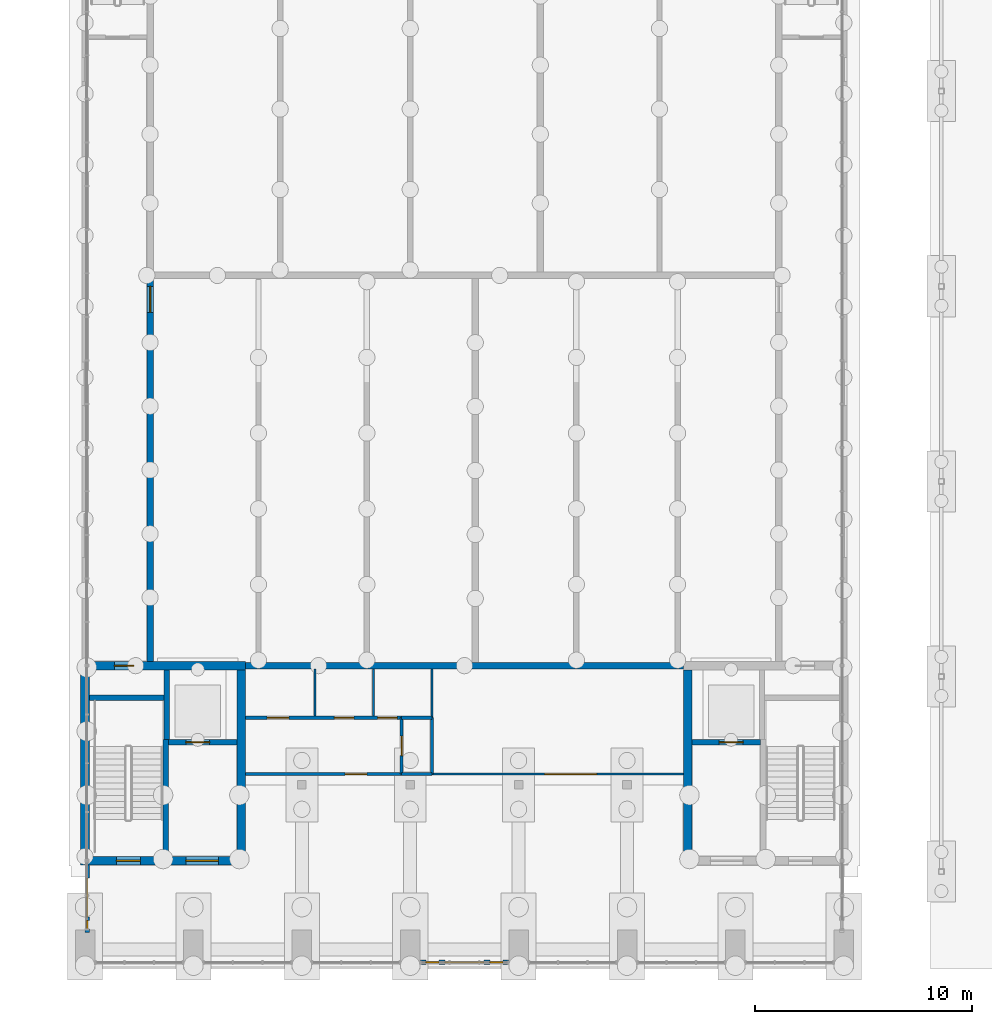
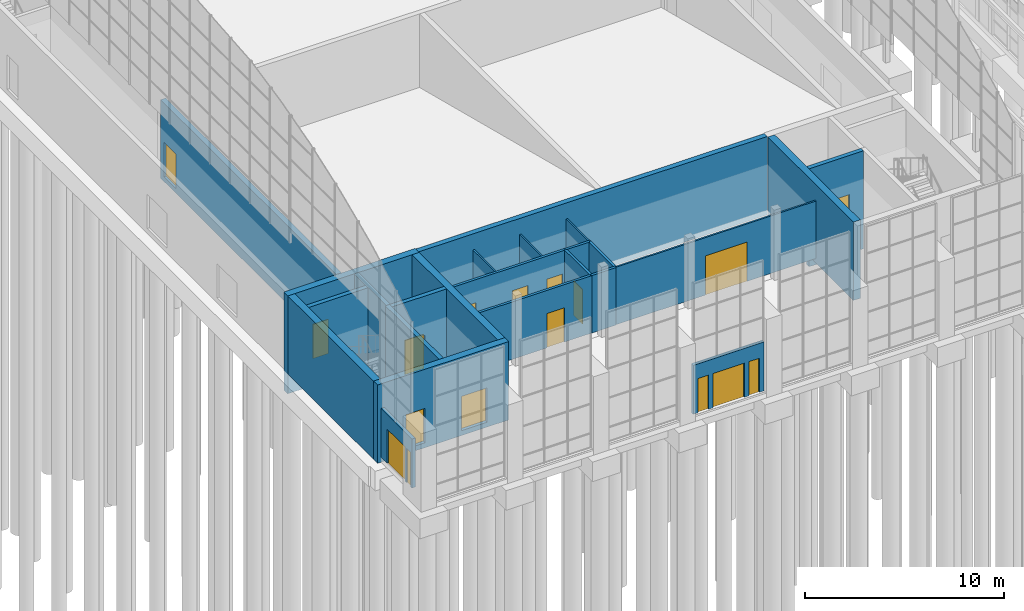
# One storey, part 65 of 106: 24 walls, 14 doors, 3 windows, 17 openings.
"""IFC4 building model written with IfcOpenShell, lengths in metres."""

from ifc_helpers import new_model, si_unit, direction, frame, frame_2d, origin, place, context, subcontext, project, spatial, rectangle, extrude, material, layer, layer_set, type_object, element, fill, save


model = new_model("IFC4")

# Units and contexts
model_context = context("Model", 3, precision=1e-05, world=origin(), true_north=direction((0.0, 1.0)))
body_context = subcontext(model_context, "Body", "Model", "MODEL_VIEW")
ifc_project = project(units=[si_unit("LENGTHUNIT", "METRE"), si_unit("AREAUNIT", "SQUARE_METRE"), si_unit("VOLUMEUNIT", "CUBIC_METRE"), si_unit("PLANEANGLEUNIT", "RADIAN"), si_unit("MASSUNIT", "GRAM", prefix="KILO")], contexts=[model_context])

# Site, building, storey
site_placement = place(None, origin())
site = spatial("IfcSite", under=ifc_project, at=site_placement, CompositionType="ELEMENT")
building_placement = place(site_placement, origin())
building = spatial("IfcBuilding", under=site, at=building_placement, Name="Merrow Basin Faculty of Sciences", CompositionType="ELEMENT")
storey_placement = place(building_placement, origin())
storey = spatial("IfcBuildingStorey", under=building, at=storey_placement, Name="L00", CompositionType="ELEMENT", Elevation=0.0)

# Wall, opening, door
ifc_material_1 = material(Name="Fire-rated gypsum board")
ifc_layer_1 = layer(ifc_material_1, 0.14990234375)
ifc_layer_set_1 = layer_set([ifc_layer_1], Name="Corridor partition 150 fire-rated board on steel studs")
wall_type_1 = type_object("IfcWallType", Name="Corridor partition 150 fire-rated board on steel studs", PredefinedType="PARTITIONING", material=ifc_layer_set_1)
wall_1_placement = place(storey_placement, frame((14.60009765625, 9.0, 0.0), z_axis=(0.0, 0.0, 1.0), x_axis=(0.0, 1.0, 0.0)))
wall_1 = element("IfcWall", 1, at=wall_1_placement, inside=storey, type_object=wall_type_1, Name="IW151 L00 003", PredefinedType="PARTITIONING", context=body_context, shape_type="SweptSolid", body=[
    extrude(rectangle(XDim=2.60009765625, YDim=0.14990234375, at=frame_2d((1.300048828125, 0.0))), origin(), (0.0, 0.0, 1.0), 3.52001953125),
])
opening_1_placement = place(wall_1_placement, frame((0.85009765625, 0.0, 0.0)))
opening_1 = element("IfcOpeningElement", 2, at=opening_1_placement, cuts=wall_1, Name="Opening D00H019", PredefinedType="OPENING", context=body_context, shape_type="SweptSolid", body=[
    extrude(rectangle(XDim=0.89990234375, YDim=2.10009765625, at=frame_2d((0.449951171875, 1.050048828125))), frame((0.0, 0.0849609375, 0.0), z_axis=(0.0, -1.0, 0.0), x_axis=(1.0, 0.0, 0.0)), (0.0, 0.0, 1.0), 0.169921875),
])
ifc_material_2 = material(Name="Fire-rated steel door", Category="steel")
door_type_1 = type_object("IfcDoorType", Name="Fire door FD60 900 x 2100", OperationType="NOTDEFINED", PredefinedType="DOOR", material=ifc_material_2)
door_1_placement = place(opening_1_placement, origin())
door_1 = element("IfcDoor", 3, at=door_1_placement, inside=storey, type_object=door_type_1, Name="Door D00H019", OperationType="SINGLE_SWING_RIGHT", OverallHeight=2.10009765625, OverallWidth=0.89990234375, PredefinedType="DOOR", context=body_context, shape_type="SweptSolid", body=[
    extrude(rectangle(XDim=0.89990234375, YDim=2.10009765625, at=frame_2d((0.449951171875, 1.050048828125))), frame((0.0, 0.02490234375, 0.0), z_axis=(0.0, -1.0, 0.0), x_axis=(1.0, 0.0, 0.0)), (0.0, 0.0, 1.0), 0.050048828125),
])
fill(opening_1, door_1)

wall_2_placement = place(storey_placement, frame((7.39990234375, 9.0, 0.0), z_axis=(0.0, 0.0, 1.0), x_axis=(1.0, 0.0, 0.0)))
wall_2 = element("IfcWall", 4, at=wall_2_placement, inside=storey, type_object=wall_type_1, Name="IW151 L00 004", PredefinedType="PARTITIONING", context=body_context, shape_type="SweptSolid", body=[
    extrude(rectangle(XDim=7.2001953125, YDim=0.14990234375, at=frame_2d((3.60009765625, 0.0))), origin(), (0.0, 0.0, 1.0), 3.52001953125),
])
opening_2_placement = place(wall_2_placement, frame((4.60009765625, 0.0, 0.0)))
opening_2 = element("IfcOpeningElement", 5, at=opening_2_placement, cuts=wall_2, Name="Opening D00H015", PredefinedType="OPENING", context=body_context, shape_type="SweptSolid", body=[
    extrude(rectangle(XDim=1.0, YDim=2.10009765625, at=frame_2d((0.5, 1.050048828125))), frame((0.0, 0.0849609375, 0.0), z_axis=(0.0, -1.0, 0.0), x_axis=(1.0, 0.0, 0.0)), (0.0, 0.0, 1.0), 0.169921875),
])
ifc_material_3 = material(Name="Timber door leaf", Category="wood")
door_type_2 = type_object("IfcDoorType", Name="Single swing door 1000 x 2100", OperationType="NOTDEFINED", PredefinedType="DOOR", material=ifc_material_3)
door_2_placement = place(opening_2_placement, origin())
door_2 = element("IfcDoor", 6, at=door_2_placement, inside=storey, type_object=door_type_2, Name="Door D00H015", OperationType="SINGLE_SWING_RIGHT", OverallHeight=2.10009765625, OverallWidth=1.0, PredefinedType="DOOR", context=body_context, shape_type="SweptSolid", body=[
    extrude(rectangle(XDim=1.0, YDim=2.10009765625, at=frame_2d((0.5, 1.050048828125))), frame((0.0, 0.02490234375, 0.0), z_axis=(0.0, -1.0, 0.0), x_axis=(1.0, 0.0, 0.0)), (0.0, 0.0, 1.0), 0.050048828125),
])
fill(opening_2, door_2)

# Wall, openings, doors
wall_3_placement = place(storey_placement, frame((7.39990234375, 11.60009765625, 0.0), z_axis=(0.0, 0.0, 1.0), x_axis=(1.0, 0.0, 0.0)))
wall_3 = element("IfcWall", 7, at=wall_3_placement, inside=storey, type_object=wall_type_1, Name="IW151 L00 005", PredefinedType="PARTITIONING", context=body_context, shape_type="SweptSolid", body=[
    extrude(rectangle(XDim=7.2001953125, YDim=0.14990234375, at=frame_2d((3.60009765625, 0.0))), origin(), (0.0, 0.0, 1.0), 3.52001953125),
])
opening_3_placement = place(wall_3_placement, frame((1.0, 0.0, 0.0)))
opening_3 = element("IfcOpeningElement", 8, at=opening_3_placement, cuts=wall_3, Name="Opening D00H016", PredefinedType="OPENING", context=body_context, shape_type="SweptSolid", body=[
    extrude(rectangle(XDim=1.0, YDim=2.10009765625, at=frame_2d((0.5, 1.050048828125))), frame((0.0, 0.0849609375, 0.0), z_axis=(0.0, -1.0, 0.0), x_axis=(1.0, 0.0, 0.0)), (0.0, 0.0, 1.0), 0.169921875),
])
opening_4_placement = place(wall_3_placement, frame((4.10009765625, 0.0, 0.0)))
opening_4 = element("IfcOpeningElement", 9, at=opening_4_placement, cuts=wall_3, Name="Opening D00H017", PredefinedType="OPENING", context=body_context, shape_type="SweptSolid", body=[
    extrude(rectangle(XDim=0.89990234375, YDim=2.10009765625, at=frame_2d((0.449951171875, 1.050048828125))), frame((0.0, 0.0849609375, 0.0), z_axis=(0.0, -1.0, 0.0), x_axis=(1.0, 0.0, 0.0)), (0.0, 0.0, 1.0), 0.169921875),
])
opening_5_placement = place(wall_3_placement, frame((6.10009765625, 0.0, 0.0)))
opening_5 = element("IfcOpeningElement", 10, at=opening_5_placement, cuts=wall_3, Name="Opening D00H018", PredefinedType="OPENING", context=body_context, shape_type="SweptSolid", body=[
    extrude(rectangle(XDim=0.89990234375, YDim=2.10009765625, at=frame_2d((0.449951171875, 1.050048828125))), frame((0.0, 0.0849609375, 0.0), z_axis=(0.0, -1.0, 0.0), x_axis=(1.0, 0.0, 0.0)), (0.0, 0.0, 1.0), 0.169921875),
])
ifc_material_4 = material(Name="Timber door leaf", Category="wood")
door_type_3 = type_object("IfcDoorType", Name="Accessible door 1000 x 2100", OperationType="NOTDEFINED", PredefinedType="DOOR", material=ifc_material_4)
door_3_placement = place(opening_3_placement, origin())
door_3 = element("IfcDoor", 11, at=door_3_placement, inside=storey, type_object=door_type_3, Name="Door D00H016", OperationType="SINGLE_SWING_RIGHT", OverallHeight=2.10009765625, OverallWidth=1.0, PredefinedType="DOOR", context=body_context, shape_type="SweptSolid", body=[
    extrude(rectangle(XDim=1.0, YDim=2.10009765625, at=frame_2d((0.5, 1.050048828125))), frame((0.0, 0.02490234375, 0.0), z_axis=(0.0, -1.0, 0.0), x_axis=(1.0, 0.0, 0.0)), (0.0, 0.0, 1.0), 0.050048828125),
])
fill(opening_3, door_3)
ifc_material_5 = material(Name="Timber door leaf", Category="wood")
door_type_4 = type_object("IfcDoorType", Name="Single swing door 900 x 2100", OperationType="NOTDEFINED", PredefinedType="DOOR", material=ifc_material_5)
door_4_placement = place(opening_4_placement, origin())
door_4 = element("IfcDoor", 12, at=door_4_placement, inside=storey, type_object=door_type_4, Name="Door D00H017", OperationType="SINGLE_SWING_LEFT", OverallHeight=2.10009765625, OverallWidth=0.89990234375, PredefinedType="DOOR", context=body_context, shape_type="SweptSolid", body=[
    extrude(rectangle(XDim=0.89990234375, YDim=2.10009765625, at=frame_2d((0.449951171875, 1.050048828125))), frame((0.0, 0.02490234375, 0.0), z_axis=(0.0, -1.0, 0.0), x_axis=(1.0, 0.0, 0.0)), (0.0, 0.0, 1.0), 0.050048828125),
])
fill(opening_4, door_4)
door_5_placement = place(opening_5_placement, origin())
door_5 = element("IfcDoor", 13, at=door_5_placement, inside=storey, type_object=door_type_4, Name="Door D00H018", OperationType="SINGLE_SWING_RIGHT", OverallHeight=2.10009765625, OverallWidth=0.89990234375, PredefinedType="DOOR", context=body_context, shape_type="SweptSolid", body=[
    extrude(rectangle(XDim=0.89990234375, YDim=2.10009765625, at=frame_2d((0.449951171875, 1.050048828125))), frame((0.0, 0.02490234375, 0.0), z_axis=(0.0, -1.0, 0.0), x_axis=(1.0, 0.0, 0.0)), (0.0, 0.0, 1.0), 0.050048828125),
])
fill(opening_5, door_5)

# Wall, openings, door, windows
ifc_material_6 = material(Name="Precast concrete C40/50", Category="concrete")
ifc_layer_2 = layer(ifc_material_6, 0.199951171875)
ifc_layer_set_2 = layer_set([ifc_layer_2], Name="Entrance frame wall 200 Precast concrete C40/50")
wall_type_2 = type_object("IfcWallType", Name="Entrance frame wall 200 Precast concrete C40/50", PredefinedType="STANDARD", material=ifc_layer_set_2)
wall_4_placement = place(storey_placement, frame((19.550048828125, 0.320068359375, 0.0), z_axis=(0.0, 0.0, 1.0), x_axis=(-1.0, 0.0, 0.0)))
wall_4 = element("IfcWall", 14, at=wall_4_placement, inside=storey, type_object=wall_type_2, Name="South entrance frame wall", PredefinedType="STANDARD", context=body_context, shape_type="SweptSolid", body=[
    extrude(rectangle(XDim=4.10009765625, YDim=0.199951171875, at=frame_2d((2.050048828125, 0.0))), origin(), (0.0, 0.0, 1.0), 3.0),
])
opening_6_placement = place(wall_4_placement, frame((1.14990234375, 0.0, 0.0)))
opening_6 = element("IfcOpeningElement", 15, at=opening_6_placement, cuts=wall_4, Name="Opening D00H026", PredefinedType="OPENING", context=body_context, shape_type="SweptSolid", body=[
    extrude(rectangle(XDim=1.800048828125, YDim=2.10009765625, at=frame_2d((0.89990234375, 1.050048828125))), frame((0.0, 0.10986328125, 0.0), z_axis=(0.0, -1.0, 0.0), x_axis=(1.0, 0.0, 0.0)), (0.0, 0.0, 1.0), 0.219970703125),
])
opening_7_placement = place(wall_4_placement, frame((0.27490234375, 0.0, 0.0)))
opening_7 = element("IfcOpeningElement", 16, at=opening_7_placement, cuts=wall_4, Name="Opening WN2", PredefinedType="OPENING", context=body_context, shape_type="SweptSolid", body=[
    extrude(rectangle(XDim=0.60009765625, YDim=2.10009765625, at=frame_2d((0.300048828125, 1.050048828125))), frame((0.0, 0.10986328125, 0.0), z_axis=(0.0, -1.0, 0.0), x_axis=(1.0, 0.0, 0.0)), (0.0, 0.0, 1.0), 0.219970703125),
])
opening_8_placement = place(wall_4_placement, frame((3.22509765625, 0.0, 0.0)))
opening_8 = element("IfcOpeningElement", 17, at=opening_8_placement, cuts=wall_4, Name="Opening WN2", PredefinedType="OPENING", context=body_context, shape_type="SweptSolid", body=[
    extrude(rectangle(XDim=0.60009765625, YDim=2.10009765625, at=frame_2d((0.300048828125, 1.050048828125))), frame((0.0, 0.10986328125, 0.0), z_axis=(0.0, -1.0, 0.0), x_axis=(1.0, 0.0, 0.0)), (0.0, 0.0, 1.0), 0.219970703125),
])
ifc_material_7 = material(Name="Glazed aluminium door", Category="aluminium")
door_type_5 = type_object("IfcDoorType", Name="Double swing door 1800 x 2100", OperationType="NOTDEFINED", PredefinedType="DOOR", material=ifc_material_7)
door_6_placement = place(opening_6_placement, origin())
door_6 = element("IfcDoor", 18, at=door_6_placement, inside=storey, type_object=door_type_5, Name="South entrance door", OperationType="DOUBLE_DOOR_SINGLE_SWING", OverallHeight=2.10009765625, OverallWidth=1.800048828125, PredefinedType="DOOR", context=body_context, shape_type="SweptSolid", body=[
    extrude(rectangle(XDim=1.800048828125, YDim=2.10009765625, at=frame_2d((0.89990234375, 1.050048828125))), frame((0.0, 0.02490234375, 0.0), z_axis=(0.0, -1.0, 0.0), x_axis=(1.0, 0.0, 0.0)), (0.0, 0.0, 1.0), 0.050048828125),
])
fill(opening_6, door_6)
ifc_material_8 = material(Name="Low-E double glazing", Category="glass")
window_type_1 = type_object("IfcWindowType", Name="Entrance sidelight 600 x 2100", PartitioningType="SINGLE_PANEL", PredefinedType="WINDOW", material=ifc_material_8)
window_1_placement = place(opening_7_placement, origin())
window_1 = element("IfcWindow", 19, at=window_1_placement, inside=storey, type_object=window_type_1, Name="South entrance sidelight", OverallHeight=2.10009765625, OverallWidth=0.60009765625, PartitioningType="SINGLE_PANEL", PredefinedType="WINDOW", context=body_context, shape_type="SweptSolid", body=[
    extrude(rectangle(XDim=0.60009765625, YDim=2.10009765625, at=frame_2d((0.300048828125, 1.050048828125))), frame((0.0, 0.030029296875, 0.0), z_axis=(0.0, -1.0, 0.0), x_axis=(1.0, 0.0, 0.0)), (0.0, 0.0, 1.0), 0.06005859375),
])
fill(opening_7, window_1)
window_2_placement = place(opening_8_placement, origin())
window_2 = element("IfcWindow", 20, at=window_2_placement, inside=storey, type_object=window_type_1, Name="South entrance sidelight", OverallHeight=2.10009765625, OverallWidth=0.60009765625, PartitioningType="SINGLE_PANEL", PredefinedType="WINDOW", context=body_context, shape_type="SweptSolid", body=[
    extrude(rectangle(XDim=0.60009765625, YDim=2.10009765625, at=frame_2d((0.300048828125, 1.050048828125))), frame((0.0, 0.030029296875, 0.0), z_axis=(0.0, -1.0, 0.0), x_axis=(1.0, 0.0, 0.0)), (0.0, 0.0, 1.0), 0.06005859375),
])
fill(opening_8, window_2)

# Wall, openings, door, window
wall_5_placement = place(storey_placement, frame((0.10009765625, 1.699951171875, 0.0), z_axis=(0.0, 0.0, 1.0), x_axis=(0.0, 1.0, 0.0)))
wall_5 = element("IfcWall", 21, at=wall_5_placement, inside=storey, type_object=wall_type_2, Name="West gable frame wall", PredefinedType="STANDARD", context=body_context, shape_type="SweptSolid", body=[
    extrude(rectangle(XDim=3.10009765625, YDim=0.199951171875, at=frame_2d((1.550048828125, 0.0))), origin(), (0.0, 0.0, 1.0), 3.0),
])
opening_9_placement = place(wall_5_placement, frame((0.699951171875, 0.0, 0.0)))
opening_9 = element("IfcOpeningElement", 22, at=opening_9_placement, cuts=wall_5, Name="Opening D00H027", PredefinedType="OPENING", context=body_context, shape_type="SweptSolid", body=[
    extrude(rectangle(XDim=1.800048828125, YDim=2.10009765625, at=frame_2d((0.89990234375, 1.050048828125))), frame((0.0, 0.10986328125, 0.0), z_axis=(0.0, -1.0, 0.0), x_axis=(1.0, 0.0, 0.0)), (0.0, 0.0, 1.0), 0.219970703125),
])
opening_10_placement = place(wall_5_placement, frame((0.14990234375, 0.0, 0.0)))
opening_10 = element("IfcOpeningElement", 23, at=opening_10_placement, cuts=wall_5, Name="Opening WN5", PredefinedType="OPENING", context=body_context, shape_type="SweptSolid", body=[
    extrude(rectangle(XDim=0.39990234375, YDim=2.10009765625, at=frame_2d((0.199951171875, 1.050048828125))), frame((0.0, 0.10986328125, 0.0), z_axis=(0.0, -1.0, 0.0), x_axis=(1.0, 0.0, 0.0)), (0.0, 0.0, 1.0), 0.219970703125),
])
door_7_placement = place(opening_9_placement, origin())
door_7 = element("IfcDoor", 24, at=door_7_placement, inside=storey, type_object=door_type_5, Name="West gable door", OperationType="DOUBLE_DOOR_SINGLE_SWING", OverallHeight=2.10009765625, OverallWidth=1.800048828125, PredefinedType="DOOR", context=body_context, shape_type="SweptSolid", body=[
    extrude(rectangle(XDim=1.800048828125, YDim=2.10009765625, at=frame_2d((0.89990234375, 1.050048828125))), frame((0.0, 0.02490234375, 0.0), z_axis=(0.0, -1.0, 0.0), x_axis=(1.0, 0.0, 0.0)), (0.0, 0.0, 1.0), 0.050048828125),
])
fill(opening_9, door_7)
ifc_material_9 = material(Name="Low-E double glazing", Category="glass")
window_type_2 = type_object("IfcWindowType", Name="Gable sidelight 400 x 2100", PartitioningType="SINGLE_PANEL", PredefinedType="WINDOW", material=ifc_material_9)
window_3_placement = place(opening_10_placement, origin())
window_3 = element("IfcWindow", 25, at=window_3_placement, inside=storey, type_object=window_type_2, Name="West gable sidelight", OverallHeight=2.10009765625, OverallWidth=0.39990234375, PartitioningType="SINGLE_PANEL", PredefinedType="WINDOW", context=body_context, shape_type="SweptSolid", body=[
    extrude(rectangle(XDim=0.39990234375, YDim=2.10009765625, at=frame_2d((0.199951171875, 1.050048828125))), frame((0.0, 0.030029296875, 0.0), z_axis=(0.0, -1.0, 0.0), x_axis=(1.0, 0.0, 0.0)), (0.0, 0.0, 1.0), 0.06005859375),
])
fill(opening_10, window_3)

# Wall
ifc_material_10 = material(Name="Concrete C40/50", Category="concrete")
ifc_layer_3 = layer(ifc_material_10, 0.300048828125)
ifc_layer_set_3 = layer_set([ifc_layer_3], Name="Hall wall 300 Concrete C40/50")
wall_type_3 = type_object("IfcWallType", Name="Hall wall 300 Concrete C40/50", PredefinedType="SHEAR", material=ifc_layer_set_3)
wall_6_placement = place(storey_placement, frame((7.39990234375, 14.0, -0.300048828125), z_axis=(0.0, 0.0, 1.0), x_axis=(1.0, 0.0, 0.0)))
element("IfcWall", 26, at=wall_6_placement, inside=storey, type_object=wall_type_3, Name="SW7 L00 017", PredefinedType="SHEAR", context=body_context, shape_type="SweptSolid", body=[
    extrude(rectangle(XDim=20.2001953125, YDim=0.300048828125, at=frame_2d((10.10009765625, 0.0))), origin(), (0.0, 0.0, 1.0), 4.800048828125),
])

# Wall, opening, door
wall_7_placement = place(storey_placement, frame((3.0, 14.199951171875, -0.300048828125), z_axis=(0.0, 0.0, 1.0), x_axis=(0.0, 1.0, 0.0)))
wall_7 = element("IfcWall", 27, at=wall_7_placement, inside=storey, type_object=wall_type_3, Name="SW7 L00 020", PredefinedType="SHEAR", context=body_context, shape_type="SweptSolid", body=[
    extrude(rectangle(XDim=17.650146484375, YDim=0.300048828125, at=frame_2d((8.8251953125, 0.0))), origin(), (0.0, 0.0, 1.0), 4.800048828125),
])
opening_11_placement = place(wall_7_placement, frame((16.10009765625, 0.0, 0.300048828125)))
opening_11 = element("IfcOpeningElement", 28, at=opening_11_placement, cuts=wall_7, Name="Opening D00H021", PredefinedType="OPENING", context=body_context, shape_type="SweptSolid", body=[
    extrude(rectangle(XDim=1.199951171875, YDim=2.10009765625, at=frame_2d((0.60009765625, 1.050048828125))), frame((0.0, 0.159912109375, 0.0), z_axis=(0.0, -1.0, 0.0), x_axis=(1.0, 0.0, 0.0)), (0.0, 0.0, 1.0), 0.320068359375),
])
ifc_material_11 = material(Name="Fire-rated steel door", Category="steel")
door_type_6 = type_object("IfcDoorType", Name="Fire door FD60 1200 x 2100", OperationType="NOTDEFINED", PredefinedType="DOOR", material=ifc_material_11)
door_8_placement = place(opening_11_placement, origin())
door_8 = element("IfcDoor", 29, at=door_8_placement, inside=storey, type_object=door_type_6, Name="Lecture Theatre 2 lower exit", OperationType="SINGLE_SWING_RIGHT", OverallHeight=2.10009765625, OverallWidth=1.199951171875, PredefinedType="DOOR", context=body_context, shape_type="SweptSolid", body=[
    extrude(rectangle(XDim=1.199951171875, YDim=2.10009765625, at=frame_2d((0.60009765625, 1.050048828125))), frame((0.0, 0.02490234375, 0.0), z_axis=(0.0, -1.0, 0.0), x_axis=(1.0, 0.0, 0.0)), (0.0, 0.0, 1.0), 0.050048828125),
])
fill(opening_11, door_8)

ifc_material_12 = material(Name="Gypsum board")
ifc_layer_4 = layer(ifc_material_12, 0.10009765625)
ifc_layer_set_4 = layer_set([ifc_layer_4], Name="Partition 100 gypsum board on steel studs")
wall_type_4 = type_object("IfcWallType", Name="Partition 100 gypsum board on steel studs", PredefinedType="PARTITIONING", material=ifc_layer_set_4)
wall_8_placement = place(storey_placement, frame((16.0, 9.0, 0.0), z_axis=(0.0, 0.0, 1.0), x_axis=(1.0, 0.0, 0.0)))
wall_8 = element("IfcWall", 30, at=wall_8_placement, inside=storey, type_object=wall_type_4, Name="IW100 L00 012", PredefinedType="PARTITIONING", context=body_context, shape_type="SweptSolid", body=[
    extrude(rectangle(XDim=11.60009765625, YDim=0.10009765625, at=frame_2d((5.800048828125, 0.0))), origin(), (0.0, 0.0, 1.0), 3.52001953125),
])
opening_12_placement = place(wall_8_placement, frame((5.199951171875, 0.0, 0.0)))
opening_12 = element("IfcOpeningElement", 31, at=opening_12_placement, cuts=wall_8, Name="Opening D00H020", PredefinedType="OPENING", context=body_context, shape_type="SweptSolid", body=[
    extrude(rectangle(XDim=2.39990234375, YDim=2.39990234375, at=frame_2d((1.199951171875, 1.199951171875))), frame((0.0, 0.06005859375, 0.0), z_axis=(0.0, -1.0, 0.0), x_axis=(1.0, 0.0, 0.0)), (0.0, 0.0, 1.0), 0.1201171875),
])
ifc_material_13 = material(Name="Glazed aluminium door", Category="aluminium")
door_type_7 = type_object("IfcDoorType", Name="Glazed double door 2400 x 2400", OperationType="NOTDEFINED", PredefinedType="DOOR", material=ifc_material_13)
door_9_placement = place(opening_12_placement, origin())
door_9 = element("IfcDoor", 32, at=door_9_placement, inside=storey, type_object=door_type_7, Name="Door D00H020", OperationType="DOUBLE_DOOR_SINGLE_SWING", OverallHeight=2.39990234375, OverallWidth=2.39990234375, PredefinedType="DOOR", context=body_context, shape_type="SweptSolid", body=[
    extrude(rectangle(XDim=2.39990234375, YDim=2.39990234375, at=frame_2d((1.199951171875, 1.199951171875))), frame((0.0, 0.02490234375, 0.0), z_axis=(0.0, -1.0, 0.0), x_axis=(1.0, 0.0, 0.0)), (0.0, 0.0, 1.0), 0.050048828125),
])
fill(opening_12, door_9)

# Walls
ifc_material_14 = material(Name="Moisture-resistant gypsum board")
ifc_layer_5 = layer(ifc_material_14, 0.10009765625)
ifc_layer_set_5 = layer_set([ifc_layer_5], Name="Partition 100 moisture-resistant board on steel studs")
wall_type_5 = type_object("IfcWallType", Name="Partition 100 moisture-resistant board on steel studs", PredefinedType="PARTITIONING", material=ifc_layer_set_5)
for number, where, z_axis, x_axis, name in (
    (33, (10.60009765625, 11.675048828125, 0.0), (0.0, 0.0, 1.0), (0.0, 1.0, 0.0), "IW101 L00 009"),
    (34, (13.300048828125, 11.675048828125, 0.0), (0.0, 0.0, 1.0), (0.0, 1.0, 0.0), "IW101 L00 010"),
):
    element("IfcWall", number, at=place(storey_placement, frame(where, z_axis=z_axis, x_axis=x_axis)), inside=storey, type_object=wall_type_5, Name=name, PredefinedType="PARTITIONING", context=body_context, shape_type="SweptSolid", body=[
        extrude(rectangle(XDim=2.175048828125, YDim=0.10009765625, at=frame_2d((1.08740234375, 0.0))), origin(), (0.0, 0.0, 1.0), 3.52001953125),
    ])
wall_9_placement = place(storey_placement, frame((16.0, 11.60009765625, 0.0), z_axis=(0.0, 0.0, 1.0), x_axis=(0.0, 1.0, 0.0)))
element("IfcWall", 35, at=wall_9_placement, inside=storey, type_object=wall_type_5, Name="IW101 L00 011", PredefinedType="PARTITIONING", context=body_context, shape_type="SweptSolid", body=[
    extrude(rectangle(XDim=2.25, YDim=0.10009765625, at=frame_2d((1.125, 0.0))), origin(), (0.0, 0.0, 1.0), 3.52001953125),
])
ifc_material_15 = material(Name="Concrete C40/50", Category="concrete")
ifc_layer_6 = layer(ifc_material_15, 0.25)
ifc_layer_set_6 = layer_set([ifc_layer_6], Name="Shear wall 250 Concrete C40/50")
wall_type_6 = type_object("IfcWallType", Name="Shear wall 250 Concrete C40/50", PredefinedType="SHEAR", material=ifc_layer_set_6)
wall_10_placement = place(storey_placement, frame((0.199951171875, 12.52490234375, -0.300048828125), z_axis=(0.0, 0.0, 1.0), x_axis=(1.0, 0.0, 0.0)))
element("IfcWall", 36, at=wall_10_placement, inside=storey, type_object=wall_type_6, Name="SW2 L00 005", PredefinedType="SHEAR", context=body_context, shape_type="SweptSolid", body=[
    extrude(rectangle(XDim=3.650146484375, YDim=0.25, at=frame_2d((1.8251953125, 0.0))), origin(), (0.0, 0.0, 1.0), 4.800048828125),
])
wall_11_placement = place(storey_placement, frame((3.72509765625, 5.199951171875, -0.300048828125), z_axis=(0.0, 0.0, 1.0), x_axis=(0.0, 1.0, 0.0)))
element("IfcWall", 37, at=wall_11_placement, inside=storey, type_object=wall_type_6, Name="SW2 L00 006", PredefinedType="SHEAR", context=body_context, shape_type="SweptSolid", body=[
    extrude(rectangle(XDim=5.400146484375, YDim=0.25, at=frame_2d((2.7001953125, 0.0))), origin(), (0.0, 0.0, 1.0), 4.800048828125),
])

# Wall, opening, door
wall_12_placement = place(storey_placement, frame((3.85009765625, 10.47509765625, -1.5), z_axis=(0.0, 0.0, 1.0), x_axis=(1.0, 0.0, 0.0)))
wall_12 = element("IfcWall", 38, at=wall_12_placement, inside=storey, type_object=wall_type_6, Name="SW2 L00 007", PredefinedType="SHEAR", context=body_context, shape_type="SweptSolid", body=[
    extrude(rectangle(XDim=3.14990234375, YDim=0.25, at=frame_2d((1.574951171875, 0.0))), origin(), (0.0, 0.0, 1.0), 6.0),
])
opening_13_placement = place(wall_12_placement, frame((0.800048828125, 0.0, 1.5)))
opening_13 = element("IfcOpeningElement", 39, at=opening_13_placement, cuts=wall_12, Name="Opening LD00H01", PredefinedType="OPENING", context=body_context, shape_type="SweptSolid", body=[
    extrude(rectangle(XDim=1.10009765625, YDim=2.10009765625, at=frame_2d((0.550048828125, 1.050048828125))), frame((0.0, 0.135009765625, 0.0), z_axis=(0.0, -1.0, 0.0), x_axis=(1.0, 0.0, 0.0)), (0.0, 0.0, 1.0), 0.27001953125),
])
ifc_material_16 = material(Name="Stainless steel sliding door", Category="steel")
door_type_8 = type_object("IfcDoorType", Name="Lift landing door 1100 x 2100 sliding", OperationType="NOTDEFINED", PredefinedType="DOOR", material=ifc_material_16)
door_10_placement = place(opening_13_placement, origin())
door_10 = element("IfcDoor", 40, at=door_10_placement, inside=storey, type_object=door_type_8, Name="Landing door LF3 L00", OperationType="SLIDING_TO_LEFT", OverallHeight=2.10009765625, OverallWidth=1.10009765625, PredefinedType="DOOR", context=body_context, shape_type="SweptSolid", body=[
    extrude(rectangle(XDim=1.10009765625, YDim=2.10009765625, at=frame_2d((0.550048828125, 1.050048828125))), frame((0.0, 0.02490234375, 0.0), z_axis=(0.0, -1.0, 0.0), x_axis=(1.0, 0.0, 0.0)), (0.0, 0.0, 1.0), 0.050048828125),
])
fill(opening_13, door_10)

# Wall
wall_13_placement = place(storey_placement, frame((3.77490234375, 10.60009765625, -1.5), z_axis=(0.0, 0.0, 1.0), x_axis=(0.0, 1.0, 0.0)))
element("IfcWall", 41, at=wall_13_placement, inside=storey, type_object=wall_type_6, Name="SW2 L00 008", PredefinedType="SHEAR", context=body_context, shape_type="SweptSolid", body=[
    extrude(rectangle(XDim=3.199951171875, YDim=0.25, at=frame_2d((1.60009765625, 0.0))), origin(), (0.0, 0.0, 1.0), 6.0),
])

# Wall, opening, door
wall_14_placement = place(storey_placement, frame((28.0, 10.47509765625, -1.5), z_axis=(0.0, 0.0, 1.0), x_axis=(1.0, 0.0, 0.0)))
wall_14 = element("IfcWall", 42, at=wall_14_placement, inside=storey, type_object=wall_type_6, Name="SW2 L00 015", PredefinedType="SHEAR", context=body_context, shape_type="SweptSolid", body=[
    extrude(rectangle(XDim=3.14990234375, YDim=0.25, at=frame_2d((1.574951171875, 0.0))), origin(), (0.0, 0.0, 1.0), 6.0),
])
opening_14_placement = place(wall_14_placement, frame((1.25, 0.0, 1.5)))
opening_14 = element("IfcOpeningElement", 43, at=opening_14_placement, cuts=wall_14, Name="Opening LD00H02", PredefinedType="OPENING", context=body_context, shape_type="SweptSolid", body=[
    extrude(rectangle(XDim=1.10009765625, YDim=2.10009765625, at=frame_2d((0.550048828125, 1.050048828125))), frame((0.0, 0.135009765625, 0.0), z_axis=(0.0, -1.0, 0.0), x_axis=(1.0, 0.0, 0.0)), (0.0, 0.0, 1.0), 0.27001953125),
])
door_11_placement = place(opening_14_placement, origin())
door_11 = element("IfcDoor", 44, at=door_11_placement, inside=storey, type_object=door_type_8, Name="Landing door LF4 L00", OperationType="SLIDING_TO_LEFT", OverallHeight=2.10009765625, OverallWidth=1.10009765625, PredefinedType="DOOR", context=body_context, shape_type="SweptSolid", body=[
    extrude(rectangle(XDim=1.10009765625, YDim=2.10009765625, at=frame_2d((0.550048828125, 1.050048828125))), frame((0.0, 0.02490234375, 0.0), z_axis=(0.0, -1.0, 0.0), x_axis=(1.0, 0.0, 0.0)), (0.0, 0.0, 1.0), 0.050048828125),
])
fill(opening_14, door_11)

# Wall, openings, doors
ifc_material_17 = material(Name="Concrete C40/50", Category="concrete")
ifc_layer_7 = layer(ifc_material_17, 0.39990234375)
ifc_layer_set_7 = layer_set([ifc_layer_7], Name="Shear wall 400 Concrete C40/50")
wall_type_7 = type_object("IfcWallType", Name="Shear wall 400 Concrete C40/50", PredefinedType="SHEAR", material=ifc_layer_set_7)
wall_15_placement = place(storey_placement, frame((-0.199951171875, 5.0, -0.300048828125), z_axis=(0.0, 0.0, 1.0), x_axis=(1.0, 0.0, 0.0)))
wall_15 = element("IfcWall", 45, at=wall_15_placement, inside=storey, type_object=wall_type_7, Name="SW1 L00 001", PredefinedType="SHEAR", context=body_context, shape_type="SweptSolid", body=[
    extrude(rectangle(XDim=7.599853515625, YDim=0.39990234375, at=frame_2d((3.7998046875, 0.0))), origin(), (0.0, 0.0, 1.0), 4.800048828125),
])
opening_15_placement = place(wall_15_placement, frame((1.64990234375, 0.0, 0.300048828125)))
opening_15 = element("IfcOpeningElement", 46, at=opening_15_placement, cuts=wall_15, Name="Opening D00H001", PredefinedType="OPENING", context=body_context, shape_type="SweptSolid", body=[
    extrude(rectangle(XDim=1.10009765625, YDim=2.10009765625, at=frame_2d((0.550048828125, 1.050048828125))), frame((0.0, 0.2099609375, 0.0), z_axis=(0.0, -1.0, 0.0), x_axis=(1.0, 0.0, 0.0)), (0.0, 0.0, 1.0), 0.419921875),
])
opening_16_placement = place(wall_15_placement, frame((4.85009765625, 0.0, 0.300048828125)))
opening_16 = element("IfcOpeningElement", 47, at=opening_16_placement, cuts=wall_15, Name="Opening D00H002", PredefinedType="OPENING", context=body_context, shape_type="SweptSolid", body=[
    extrude(rectangle(XDim=1.5, YDim=2.10009765625, at=frame_2d((0.75, 1.050048828125))), frame((0.0, 0.2099609375, 0.0), z_axis=(0.0, -1.0, 0.0), x_axis=(1.0, 0.0, 0.0)), (0.0, 0.0, 1.0), 0.419921875),
])
ifc_material_18 = material(Name="Fire-rated steel door", Category="steel")
door_type_9 = type_object("IfcDoorType", Name="Fire door FD60 1500 x 2100", OperationType="NOTDEFINED", PredefinedType="DOOR", material=ifc_material_18)
door_12_placement = place(opening_16_placement, origin())
door_12 = element("IfcDoor", 48, at=door_12_placement, inside=storey, type_object=door_type_9, Name="Door D00H002", OperationType="DOUBLE_DOOR_SINGLE_SWING", OverallHeight=2.10009765625, OverallWidth=1.5, PredefinedType="DOOR", context=body_context, shape_type="SweptSolid", body=[
    extrude(rectangle(XDim=1.5, YDim=2.10009765625, at=frame_2d((0.75, 1.050048828125))), frame((0.0, 0.02490234375, 0.0), z_axis=(0.0, -1.0, 0.0), x_axis=(1.0, 0.0, 0.0)), (0.0, 0.0, 1.0), 0.050048828125),
])
fill(opening_16, door_12)
ifc_material_19 = material(Name="Fire-rated steel door", Category="steel")
door_type_10 = type_object("IfcDoorType", Name="Fire door FD90 1100 x 2100", OperationType="NOTDEFINED", PredefinedType="DOOR", material=ifc_material_19)
door_13_placement = place(opening_15_placement, frame((1.10009765625, 0.0, 0.0), z_axis=(0.0, 0.0, 1.0), x_axis=(-1.0, 0.0, 0.0)))
door_13 = element("IfcDoor", 49, at=door_13_placement, inside=storey, type_object=door_type_10, Name="Stair W exit door", OperationType="SINGLE_SWING_RIGHT", OverallHeight=2.10009765625, OverallWidth=1.10009765625, PredefinedType="DOOR", context=body_context, shape_type="SweptSolid", body=[
    extrude(rectangle(XDim=1.10009765625, YDim=2.10009765625, at=frame_2d((0.550048828125, 1.050048828125))), frame((0.0, 0.02490234375, 0.0), z_axis=(0.0, -1.0, 0.0), x_axis=(1.0, 0.0, 0.0)), (0.0, 0.0, 1.0), 0.050048828125),
])
fill(opening_15, door_13)

# Wall, opening, door
wall_16_placement = place(storey_placement, frame((-0.199951171875, 14.0, -1.5), z_axis=(0.0, 0.0, 1.0), x_axis=(1.0, 0.0, 0.0)))
wall_16 = element("IfcWall", 50, at=wall_16_placement, inside=storey, type_object=wall_type_7, Name="SW1 L00 002", PredefinedType="SHEAR", context=body_context, shape_type="SweptSolid", body=[
    extrude(rectangle(XDim=7.599853515625, YDim=0.39990234375, at=frame_2d((3.7998046875, 0.0))), origin(), (0.0, 0.0, 1.0), 6.0),
])
opening_17_placement = place(wall_16_placement, frame((1.550048828125, 0.0, 1.5)))
opening_17 = element("IfcOpeningElement", 51, at=opening_17_placement, cuts=wall_16, Name="Opening D00H003", PredefinedType="OPENING", context=body_context, shape_type="SweptSolid", body=[
    extrude(rectangle(XDim=0.89990234375, YDim=2.10009765625, at=frame_2d((0.449951171875, 1.050048828125))), frame((0.0, 0.2099609375, 0.0), z_axis=(0.0, -1.0, 0.0), x_axis=(1.0, 0.0, 0.0)), (0.0, 0.0, 1.0), 0.419921875),
])
door_14_placement = place(opening_17_placement, origin())
door_14 = element("IfcDoor", 52, at=door_14_placement, inside=storey, type_object=door_type_1, Name="Door D00H003", OperationType="SINGLE_SWING_LEFT", OverallHeight=2.10009765625, OverallWidth=0.89990234375, PredefinedType="DOOR", context=body_context, shape_type="SweptSolid", body=[
    extrude(rectangle(XDim=0.89990234375, YDim=2.10009765625, at=frame_2d((0.449951171875, 1.050048828125))), frame((0.0, 0.02490234375, 0.0), z_axis=(0.0, -1.0, 0.0), x_axis=(1.0, 0.0, 0.0)), (0.0, 0.0, 1.0), 0.050048828125),
])
fill(opening_17, door_14)

# Walls
for number, where, z_axis, x_axis, name in (
    (53, (0.0, 5.199951171875, -0.300048828125), (0.0, 0.0, 1.0), (0.0, 1.0, 0.0), "SW1 L00 003"),
    (54, (7.199951171875, 5.199951171875, -0.300048828125), (0.0, 0.0, 1.0), (0.0, 1.0, 0.0), "SW1 L00 004"),
    (55, (27.800048828125, 5.199951171875, -0.300048828125), (0.0, 0.0, 1.0), (0.0, 1.0, 0.0), "SW1 L00 011"),
):
    element("IfcWall", number, at=place(storey_placement, frame(where, z_axis=z_axis, x_axis=x_axis)), inside=storey, type_object=wall_type_7, Name=name, PredefinedType="SHEAR", context=body_context, shape_type="SweptSolid", body=[
        extrude(rectangle(XDim=8.60009765625, YDim=0.39990234375, at=frame_2d((4.300048828125, 0.0))), origin(), (0.0, 0.0, 1.0), 4.800048828125),
    ])
ifc_material_20 = material(Name="Fire-rated gypsum board")
ifc_layer_8 = layer(ifc_material_20, 0.14990234375)
ifc_layer_set_8 = layer_set([ifc_layer_8], Name="Store partition 150 fire-rated board on steel studs")
wall_type_8 = type_object("IfcWallType", Name="Store partition 150 fire-rated board on steel studs", PredefinedType="PARTITIONING", material=ifc_layer_set_8)
wall_17_placement = place(storey_placement, frame((16.0, 9.0, 0.0), z_axis=(0.0, 0.0, 1.0), x_axis=(0.0, 1.0, 0.0)))
element("IfcWall", 56, at=wall_17_placement, inside=storey, type_object=wall_type_8, Name="IW152 L00 006", PredefinedType="PARTITIONING", context=body_context, shape_type="SweptSolid", body=[
    extrude(rectangle(XDim=2.60009765625, YDim=0.14990234375, at=frame_2d((1.300048828125, 0.0))), origin(), (0.0, 0.0, 1.0), 3.52001953125),
])
for number, where, z_axis, x_axis, name in (
    (57, (14.60009765625, 9.0, 0.0), (0.0, 0.0, 1.0), (1.0, 0.0, 0.0), "IW152 L00 007"),
    (58, (14.60009765625, 11.60009765625, 0.0), (0.0, 0.0, 1.0), (1.0, 0.0, 0.0), "IW152 L00 008"),
):
    element("IfcWall", number, at=place(storey_placement, frame(where, z_axis=z_axis, x_axis=x_axis)), inside=storey, type_object=wall_type_8, Name=name, PredefinedType="PARTITIONING", context=body_context, shape_type="SweptSolid", body=[
        extrude(rectangle(XDim=1.39990234375, YDim=0.14990234375, at=frame_2d((0.699951171875, 0.0))), origin(), (0.0, 0.0, 1.0), 3.52001953125),
    ])

save(model, "model.ifc")
